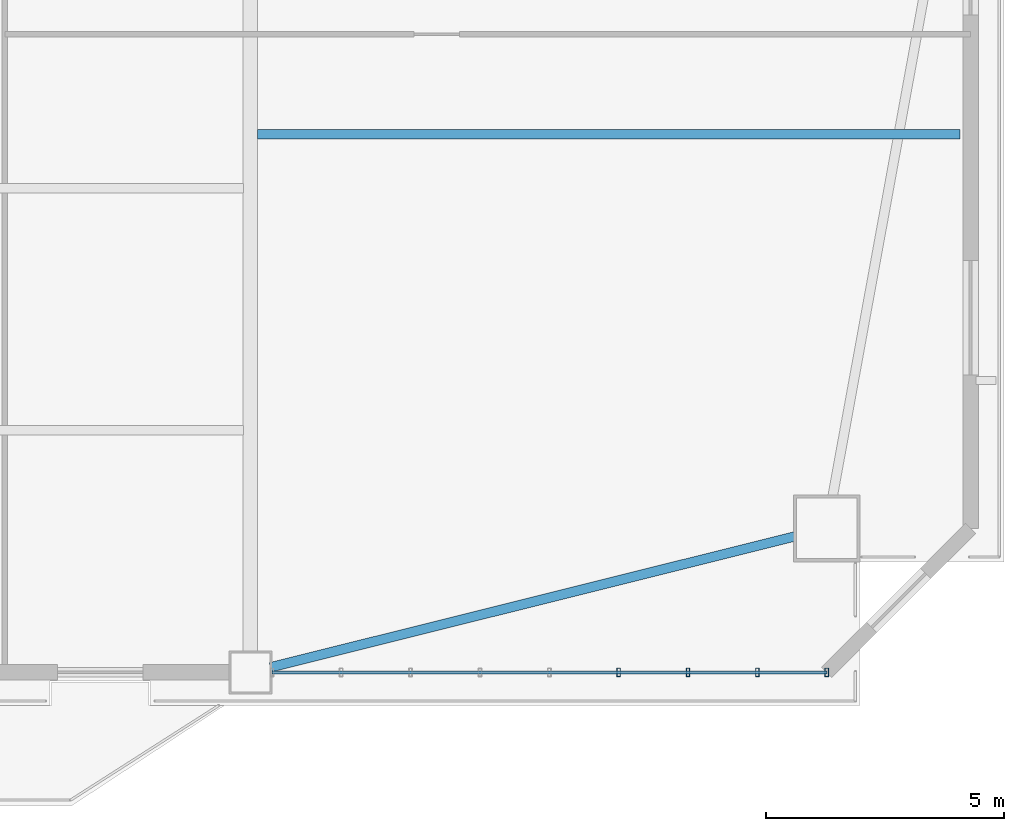
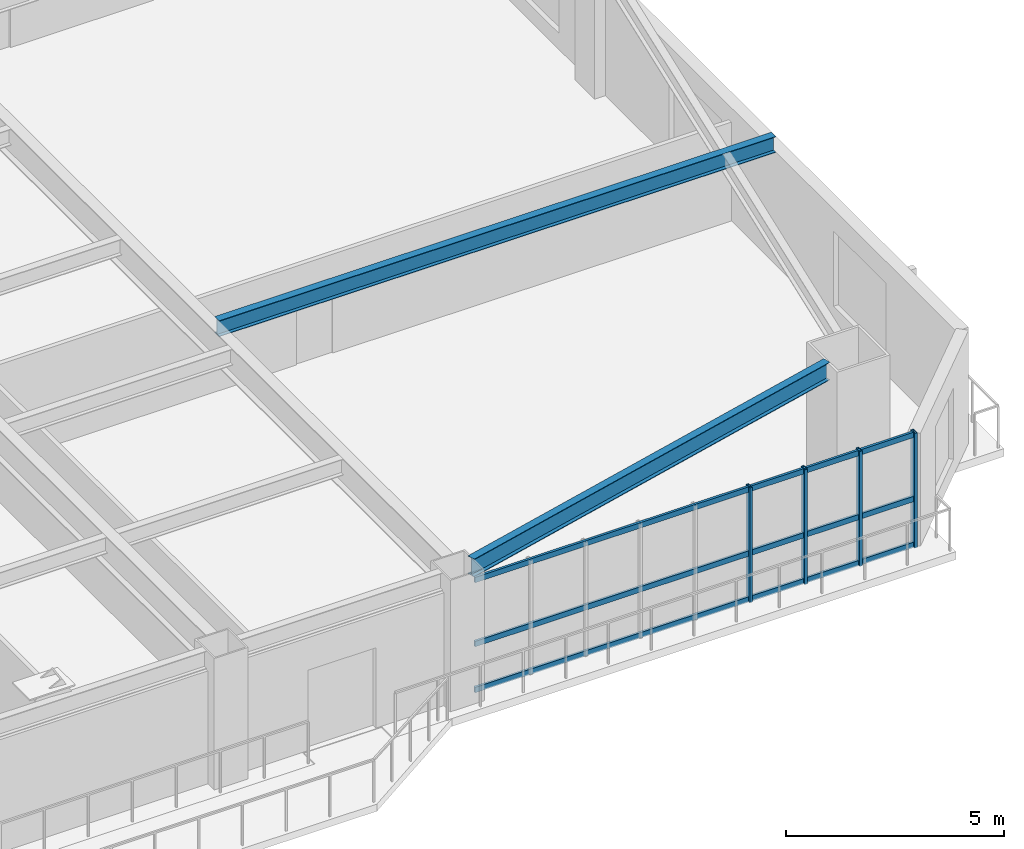
# One storey, part 5 of 15: 7 members, 2 beams, 1 element without a shape of its own.
"""IFC4 building model written with IfcOpenShell, lengths in metres."""

from ifc_helpers import new_model, si_unit, direction, frame, origin, origin_2d, place, context, subcontext, project, spatial, hollow_rectangle, i_section, extrude, source, transform, mapped, material, layer, layer_set, material_profile, profile_set, type_object, element, aggregate, save


model = new_model("IFC4")

# Units and contexts
model_context = context("Model", 3, precision=1e-05, world=origin(), true_north=direction((0.0, 1.0)))
body_context = subcontext(model_context, "Body", "Model", "MODEL_VIEW")
ifc_project = project(units=[si_unit("LENGTHUNIT", "METRE"), si_unit("AREAUNIT", "SQUARE_METRE"), si_unit("VOLUMEUNIT", "CUBIC_METRE"), si_unit("PLANEANGLEUNIT", "RADIAN"), si_unit("MASSUNIT", "GRAM", prefix="KILO")], contexts=[model_context])

# Site, building, storey
site_placement = place(None, origin())
site = spatial("IfcSite", under=ifc_project, at=site_placement, CompositionType="ELEMENT")
building_placement = place(site_placement, origin())
building = spatial("IfcBuilding", under=site, at=building_placement, Name="Giltprow Tower", CompositionType="ELEMENT")
storey_placement = place(building_placement, frame((0.0, 0.0, 115.300048828125)))
storey = spatial("IfcBuildingStorey", under=building, at=storey_placement, Name="L28", CompositionType="ELEMENT", Elevation=115.300048828125)

# Beams
ifc_material_1 = material(Name="Structural steel Q355B", Category="steel")
ifc_material_profile_1 = material_profile(ifc_material_1, i_section(OverallWidth=0.199951171875, OverallDepth=0.5, WebThickness=0.010009765625, FlangeThickness=0.01611328125, at=origin_2d()), Name="HN 500x200x10x16")
ifc_profile_set_1 = profile_set([ifc_material_profile_1], Name="Structural steel Q355B")
beam_type_1 = type_object("IfcBeamType", Name="BM-SPAN-HN500", PredefinedType="SPANDREL", material=ifc_profile_set_1)
shared_shape_1 = source(origin(), body_context, "Body", "SweptSolid", [
    extrude(i_section(OverallWidth=0.199951171875, OverallDepth=0.5, WebThickness=0.010009765625, FlangeThickness=0.01611328125, at=origin_2d()), origin(), (0.0, 0.0, 1.0), 11.33984375),
])
beam_1_placement = place(storey_placement, frame((50.971923828125, 7.094970703125, 3.429931640625), z_axis=(0.970234880628, 0.242165803557, 0.0), x_axis=(-0.242165803557, 0.970234880628, 0.0)))
element("IfcBeam", 1, at=beam_1_placement, inside=storey, type_object=beam_type_1, Name="L28 Perimeter Spandrel Beam S4-MC_SE", PredefinedType="SPANDREL", context=body_context, shape_type="MappedRepresentation", body=[
    mapped(shared_shape_1, transform((0.0, 0.0, 0.0), x_axis=(1.0, 0.0, 0.0), y_axis=(0.0, 1.0, 0.0), z_axis=(0.0, 0.0, 1.0), scale=1.0)),
])
ifc_material_profile_2 = material_profile(ifc_material_1, i_section(OverallWidth=0.199951171875, OverallDepth=0.449951171875, WebThickness=0.009033203125, FlangeThickness=0.013916015625, at=origin_2d()), Name="HN 450x200x9x14")
ifc_profile_set_2 = profile_set([ifc_material_profile_2], Name="Structural steel Q355B")
beam_type_2 = type_object("IfcBeamType", Name="BM-JOIST-HN450", PredefinedType="JOIST", material=ifc_profile_set_2)
shared_shape_2 = source(origin(), body_context, "Body", "SweptSolid", [
    extrude(i_section(OverallWidth=0.199951171875, OverallDepth=0.449951171875, WebThickness=0.009033203125, FlangeThickness=0.013916015625, at=origin_2d()), origin(), (0.0, 0.0, 1.0), 14.740966796875),
])
beam_2_placement = place(storey_placement, frame((50.695068359375, 18.27587890625, 3.454833984375), z_axis=(1.0, 0.0, 0.0), x_axis=(0.0, 1.0, 0.0)))
element("IfcBeam", 2, at=beam_2_placement, inside=storey, type_object=beam_type_2, Name="L28 East Wing Floor Joist 1", PredefinedType="JOIST", context=body_context, shape_type="MappedRepresentation", body=[
    mapped(shared_shape_2, transform((0.0, 0.0, 0.0), x_axis=(1.0, 0.0, 0.0), y_axis=(0.0, 1.0, 0.0), z_axis=(0.0, 0.0, 1.0), scale=1.0)),
])

# Curtain wall, members
ifc_material_2 = material(Name="Anodized bronze", Category="metal")
ifc_layer = layer(ifc_material_2, 0.179931640625, Name="Anodized bronze")
ifc_layer_set = layer_set([ifc_layer], Name="Anodized bronze")
curtain_wall_type = type_object("IfcCurtainWallType", Name="CW-OFF-RECESSED", PredefinedType="NOTDEFINED", material=ifc_layer_set)
curtain_wall_placement = place(storey_placement, origin())
curtain_wall = element("IfcCurtainWall", 3, at=curtain_wall_placement, inside=storey, type_object=curtain_wall_type, Name="L28 South Recessed Curtain Wall 6", PredefinedType="NOTDEFINED")
ifc_material_profile_3 = material_profile(ifc_material_2, hollow_rectangle(XDim=0.074951171875, YDim=0.179931640625, WallThickness=0.008056640625, at=origin_2d()), Name="RHS 180x75x8")
ifc_profile_set_3 = profile_set([ifc_material_profile_3], Name="Anodized bronze")
member_type_1 = type_object("IfcMemberType", Name="CW-MULLION-180x75", PredefinedType="MULLION", material=ifc_profile_set_3)
shared_shape_3 = source(origin(), body_context, "Body", "SweptSolid", [
    extrude(hollow_rectangle(XDim=0.074951171875, YDim=0.179931640625, WallThickness=0.008056640625, at=origin_2d()), origin(), (0.0, 0.0, 1.0), 3.215087890625),
])
member_1_placement = place(storey_placement, frame((58.27392578125, 6.989990234375, -0.02001953125), z_axis=(0.0, 0.0, 1.0), x_axis=(1.0, 0.0, 0.0)))
member_1 = element("IfcMember", 4, at=member_1_placement, type_object=member_type_1, Name="L28 South Recessed Curtain Wall 6 Mullion 6", PredefinedType="MULLION", context=body_context, shape_type="MappedRepresentation", body=[
    mapped(shared_shape_3, transform((0.0, 0.0, 0.0), x_axis=(1.0, 0.0, 0.0), y_axis=(0.0, 1.0, 0.0), z_axis=(0.0, 0.0, 1.0), scale=1.0)),
])
member_2_placement = place(storey_placement, frame((59.72900390625, 6.989990234375, -0.02001953125), z_axis=(0.0, 0.0, 1.0), x_axis=(1.0, 0.0, 0.0)))
member_2 = element("IfcMember", 5, at=member_2_placement, type_object=member_type_1, Name="L28 South Recessed Curtain Wall 6 Mullion 7", PredefinedType="MULLION", context=body_context, shape_type="MappedRepresentation", body=[
    mapped(shared_shape_3, transform((0.0, 0.0, 0.0), x_axis=(1.0, 0.0, 0.0), y_axis=(0.0, 1.0, 0.0), z_axis=(0.0, 0.0, 1.0), scale=1.0)),
])
member_3_placement = place(storey_placement, frame((61.18408203125, 6.989990234375, -0.02001953125), z_axis=(0.0, 0.0, 1.0), x_axis=(1.0, 0.0, 0.0)))
member_3 = element("IfcMember", 6, at=member_3_placement, type_object=member_type_1, Name="L28 South Recessed Curtain Wall 6 Mullion 8", PredefinedType="MULLION", context=body_context, shape_type="MappedRepresentation", body=[
    mapped(shared_shape_3, transform((0.0, 0.0, 0.0), x_axis=(1.0, 0.0, 0.0), y_axis=(0.0, 1.0, 0.0), z_axis=(0.0, 0.0, 1.0), scale=1.0)),
])
member_4_placement = place(storey_placement, frame((62.638916015625, 6.989990234375, -0.02001953125), z_axis=(0.0, 0.0, 1.0), x_axis=(1.0, 0.0, 0.0)))
member_4 = element("IfcMember", 7, at=member_4_placement, type_object=member_type_1, Name="L28 South Recessed Curtain Wall 6 Mullion 9", PredefinedType="MULLION", context=body_context, shape_type="MappedRepresentation", body=[
    mapped(shared_shape_3, transform((0.0, 0.0, 0.0), x_axis=(1.0, 0.0, 0.0), y_axis=(0.0, 1.0, 0.0), z_axis=(0.0, 0.0, 1.0), scale=1.0)),
])
ifc_material_profile_4 = material_profile(ifc_material_2, hollow_rectangle(XDim=0.06494140625, YDim=0.14990234375, WallThickness=0.006103515625, at=origin_2d()), Name="RHS 150x65x6")
ifc_profile_set_4 = profile_set([ifc_material_profile_4], Name="Anodized bronze")
member_type_2 = type_object("IfcMemberType", Name="CW-TRANSOM-150x65", PredefinedType="USERDEFINED", material=ifc_profile_set_4)
shared_shape_4 = source(origin(), body_context, "Body", "SweptSolid", [
    extrude(hollow_rectangle(XDim=0.06494140625, YDim=0.14990234375, WallThickness=0.006103515625, at=origin_2d()), origin(), (0.0, 0.0, 1.0), 11.638916015625),
])
member_5_placement = place(storey_placement, frame((51.0, 6.989990234375, 0.0400390625), z_axis=(1.0, 0.0, 0.0), x_axis=(0.0, 1.0, 0.0)))
member_5 = element("IfcMember", 8, at=member_5_placement, type_object=member_type_2, Name="L28 South Recessed Curtain Wall 6 Transom 1", ObjectType="TRANSOM", PredefinedType="USERDEFINED", context=body_context, shape_type="MappedRepresentation", body=[
    mapped(shared_shape_4, transform((0.0, 0.0, 0.0), x_axis=(1.0, 0.0, 0.0), y_axis=(0.0, 1.0, 0.0), z_axis=(0.0, 0.0, 1.0), scale=1.0)),
])
member_6_placement = place(storey_placement, frame((51.0, 6.989990234375, 1.326904296875), z_axis=(1.0, 0.0, 0.0), x_axis=(0.0, 1.0, 0.0)))
member_6 = element("IfcMember", 9, at=member_6_placement, type_object=member_type_2, Name="L28 South Recessed Curtain Wall 6 Transom 2", ObjectType="TRANSOM", PredefinedType="USERDEFINED", context=body_context, shape_type="MappedRepresentation", body=[
    mapped(shared_shape_4, transform((0.0, 0.0, 0.0), x_axis=(1.0, 0.0, 0.0), y_axis=(0.0, 1.0, 0.0), z_axis=(0.0, 0.0, 1.0), scale=1.0)),
])
member_7_placement = place(storey_placement, frame((51.0, 6.989990234375, 3.119873046875), z_axis=(1.0, 0.0, 0.0), x_axis=(0.0, 1.0, 0.0)))
member_7 = element("IfcMember", 10, at=member_7_placement, type_object=member_type_2, Name="L28 South Recessed Curtain Wall 6 Transom 3", ObjectType="TRANSOM", PredefinedType="USERDEFINED", context=body_context, shape_type="MappedRepresentation", body=[
    mapped(shared_shape_4, transform((0.0, 0.0, 0.0), x_axis=(1.0, 0.0, 0.0), y_axis=(0.0, 1.0, 0.0), z_axis=(0.0, 0.0, 1.0), scale=1.0)),
])
aggregate(curtain_wall, [member_1, member_2, member_3, member_4, member_5, member_6, member_7])

save(model, "model.ifc")
